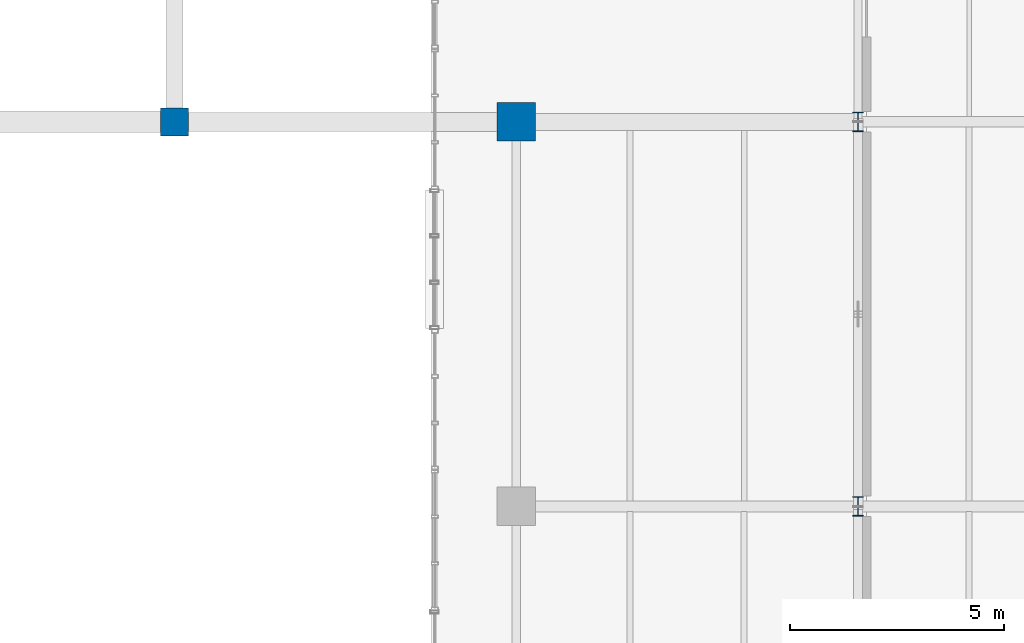
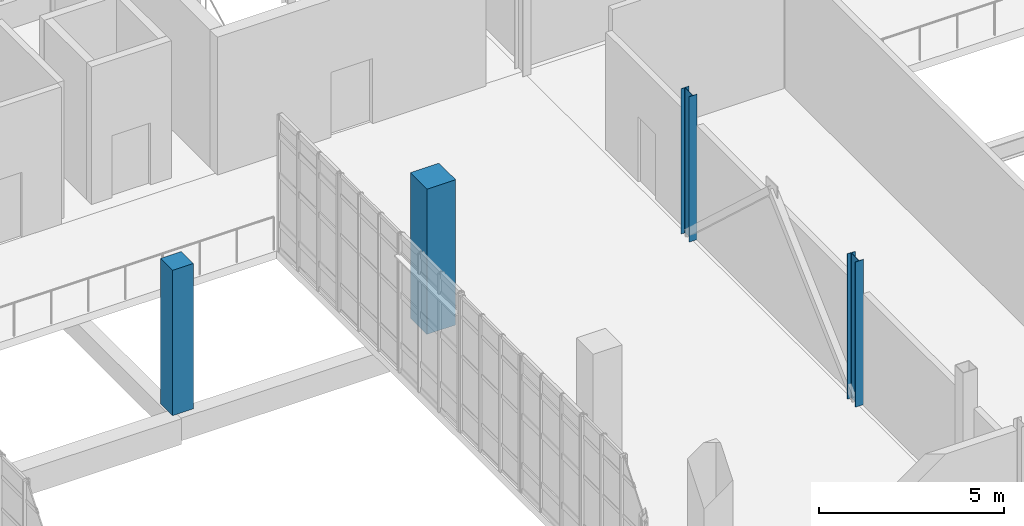
# One storey, part 4 of 102: 4 columns.
"""IFC4 building model written with IfcOpenShell, lengths in metres."""

from ifc_helpers import new_model, si_unit, derived_unit, direction, frame, origin, origin_2d, place, context, subcontext, project, spatial, rectangle, i_section, extrude, material, material_profile, profile_set, type_object, element, save


model = new_model("IFC4")

# Units and contexts
model_context = context("Model", 3, precision=1e-05, world=origin(), true_north=direction((0.0, 1.0)))
body_context = subcontext(model_context, "Body", "Model", "MODEL_VIEW")
ifc_project = project(units=[si_unit("LENGTHUNIT", "METRE"), si_unit("AREAUNIT", "SQUARE_METRE"), si_unit("VOLUMEUNIT", "CUBIC_METRE"), si_unit("PLANEANGLEUNIT", "RADIAN"), si_unit("MASSUNIT", "GRAM", prefix="KILO"), derived_unit("THERMALTRANSMITTANCEUNIT", [(si_unit("POWERUNIT", "WATT"), 1), (si_unit("LENGTHUNIT", "METRE"), -2), (si_unit("THERMODYNAMICTEMPERATUREUNIT", "KELVIN"), -1)])], contexts=[model_context])

# Site, building, storey
site_placement = place(None, origin())
site = spatial("IfcSite", under=ifc_project, at=site_placement, CompositionType="ELEMENT")
building_placement = place(site_placement, origin())
building = spatial("IfcBuilding", under=site, at=building_placement, Name="Nallur Shell Playhouse", CompositionType="ELEMENT")
storey_placement = place(building_placement, frame((0.0, 0.0, 15.0)))
storey = spatial("IfcBuildingStorey", under=building, at=storey_placement, Name="L04", CompositionType="ELEMENT", Elevation=15.0)

# Columns
ifc_material_1 = material(Name="Concrete M35", Category="concrete")
ifc_material_profile_1 = material_profile(ifc_material_1, rectangle(XDim=0.64990234375, YDim=0.64990234375, at=origin_2d()), Name="RC 650x650")
ifc_profile_set_1 = profile_set([ifc_material_profile_1], Name="Concrete M35")
column_type_1 = type_object("IfcColumnType", Name="CL-RC-650", PredefinedType="COLUMN", material=ifc_profile_set_1)
column_1_placement = place(storey_placement, frame((48.0, 65.0, 0.0), z_axis=(0.0, 0.0, 1.0), x_axis=(1.0, 0.0, 0.0)))
element("IfcColumn", 1, at=column_1_placement, inside=storey, type_object=column_type_1, Name="Column 6-H (L04)", PredefinedType="COLUMN", context=body_context, shape_type="SweptSolid", body=[
    extrude(rectangle(XDim=0.64990234375, YDim=0.64990234375, at=origin_2d()), origin(), (0.0, 0.0, 1.0), 4.800048828125),
])
ifc_material_2 = material(Name="Concrete M40", Category="concrete")
ifc_material_profile_2 = material_profile(ifc_material_2, rectangle(XDim=0.89990234375, YDim=0.89990234375, at=origin_2d()), Name="RC 900x900")
ifc_profile_set_2 = profile_set([ifc_material_profile_2], Name="Concrete M40")
column_type_2 = type_object("IfcColumnType", Name="CL-RC-900", PredefinedType="COLUMN", material=ifc_profile_set_2)
column_2_placement = place(storey_placement, frame((56.0, 65.0, 0.0), z_axis=(0.0, 0.0, 1.0), x_axis=(1.0, 0.0, 0.0)))
element("IfcColumn", 2, at=column_2_placement, inside=storey, type_object=column_type_2, Name="Column 7-H (L04)", PredefinedType="COLUMN", context=body_context, shape_type="SweptSolid", body=[
    extrude(rectangle(XDim=0.89990234375, YDim=0.89990234375, at=origin_2d()), origin(), (0.0, 0.0, 1.0), 4.800048828125),
])
ifc_material_3 = material(Name="Steel E350", Category="steel")
ifc_material_profile_3 = material_profile(ifc_material_3, i_section(OverallWidth=0.25, OverallDepth=0.449951171875, WebThickness=0.01123046875, FlangeThickness=0.013671875, FilletRadius=0.014892578125, at=origin_2d()), Name="ISHB 450")
ifc_profile_set_3 = profile_set([ifc_material_profile_3], Name="Steel E350")
column_type_3 = type_object("IfcColumnType", Name="CL-ST-ISHB450", PredefinedType="COLUMN", material=ifc_profile_set_3)
for number, where, z_axis, x_axis, name in (
    (3, (64.0, 56.0, 0.0), (0.0, 0.0, 1.0), (1.0, 0.0, 0.0), "Column 8-G (L04)"),
    (4, (64.0, 65.0, 0.0), (0.0, 0.0, 1.0), (1.0, 0.0, 0.0), "Column 8-H (L04)"),
):
    element("IfcColumn", number, at=place(storey_placement, frame(where, z_axis=z_axis, x_axis=x_axis)), inside=storey, type_object=column_type_3, Name=name, PredefinedType="COLUMN", context=body_context, shape_type="SweptSolid", body=[
        extrude(i_section(OverallWidth=0.25, OverallDepth=0.449951171875, WebThickness=0.01123046875, FlangeThickness=0.013671875, FilletRadius=0.014892578125, at=origin_2d()), origin(), (0.0, 0.0, 1.0), 4.800048828125),
    ])

save(model, "model.ifc")
